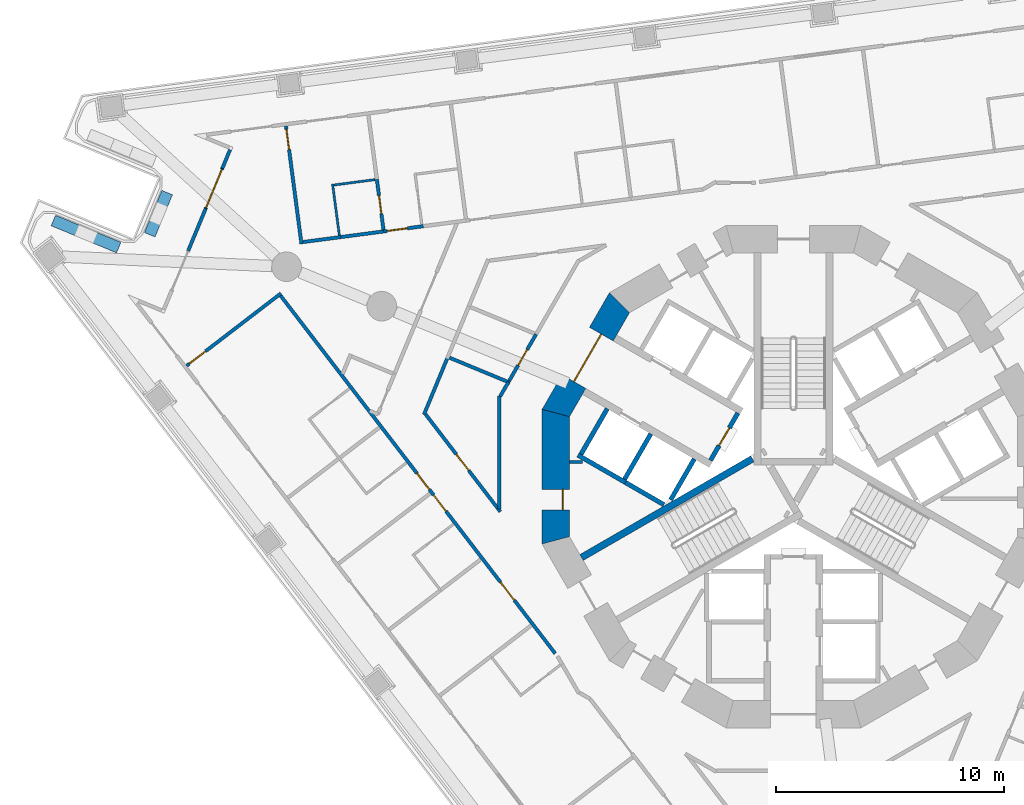
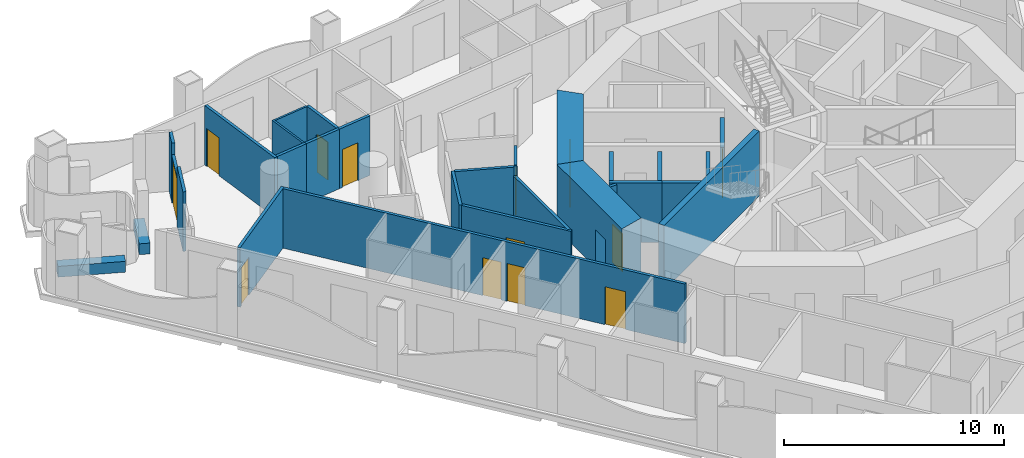
# One storey, part 6 of 19: 30 walls, 13 doors, 13 openings.
"""IFC4 building model written with IfcOpenShell, lengths in metres."""

from ifc_helpers import new_model, si_unit, direction, frame, frame_2d, origin, place, context, subcontext, project, spatial, polyline, rectangle, outline, extrude, material, layer, layer_set, type_object, element, fill, save


model = new_model("IFC4")

# Units and contexts
model_context = context("Model", 3, precision=1e-05, world=origin(), true_north=direction((0.0, 1.0)))
body_context = subcontext(model_context, "Body", "Model", "MODEL_VIEW")
ifc_project = project(units=[si_unit("LENGTHUNIT", "METRE"), si_unit("AREAUNIT", "SQUARE_METRE"), si_unit("VOLUMEUNIT", "CUBIC_METRE"), si_unit("PLANEANGLEUNIT", "RADIAN"), si_unit("MASSUNIT", "GRAM", prefix="KILO")], contexts=[model_context])

# Site, building, storey
site_placement = place(None, origin())
site = spatial("IfcSite", under=ifc_project, at=site_placement, CompositionType="ELEMENT")
building_placement = place(site_placement, origin())
building = spatial("IfcBuilding", under=site, at=building_placement, Name="Trine Commons Tower", CompositionType="ELEMENT")
storey_placement = place(building_placement, frame((0.0, 0.0, 68.39990234375)))
storey = spatial("IfcBuildingStorey", under=building, at=storey_placement, Name="L16", CompositionType="ELEMENT", Elevation=68.39990234375)

# Walls
ifc_material_1 = material(Name="Plasterboard partition on steel studs", Category="steel")
ifc_layer_1 = layer(ifc_material_1, 0.14990234375)
ifc_layer_set_1 = layer_set([ifc_layer_1], Name="Plasterboard partition on steel studs")
wall_type_1 = type_object("IfcWallType", Name="Core room partition 150 mm, EI 60", PredefinedType="PARTITIONING", material=ifc_layer_set_1)
wall_1_placement = place(storey_placement, frame((70.18798828125, 63.14208984375, 0.0), z_axis=(0.0, 0.0, 1.0), x_axis=(1.0, 0.0, 0.0)))
element("IfcWall", 1, at=wall_1_placement, inside=storey, type_object=wall_type_1, Name="Core room partition L16", PredefinedType="PARTITIONING", context=body_context, shape_type="SweptSolid", body=[
    extrude(rectangle(XDim=0.571044921875, YDim=0.14990234375, at=frame_2d((0.28564453125, 0.0))), origin(), (0.0, 0.0, 1.0), 3.300048828125),
])
ifc_material_2 = material(Name="Aluminium-framed insulated wall panel", Category="aluminium")
ifc_layer_2 = layer(ifc_material_2, 0.14990234375)
ifc_layer_set_2 = layer_set([ifc_layer_2], Name="Aluminium-framed insulated wall panel")
wall_type_2 = type_object("IfcWallType", Name="Glazed frame wall 150, EI 60", PredefinedType="SOLIDWALL", material=ifc_layer_set_2)
wall_2_placement = place(storey_placement, frame((53.482177734375, 72.401611328125, 0.0), z_axis=(0.0, 0.0, 1.0), x_axis=(0.382664423091, 0.923887406181, 0.0)))
element("IfcWall", 2, at=wall_2_placement, inside=storey, type_object=wall_type_2, Name="Glazed frame wall P1.3", PredefinedType="SOLIDWALL", context=body_context, shape_type="SweptSolid", body=[
    extrude(outline(polyline([(0.0, -0.074951171875), (2.0, -0.074951171875), (2.0, 0.074951171875), (0.0, 0.074951171875), (0.0, -0.074951171875)])), origin(), (0.0, 0.0, 1.0), 3.300048828125),
])

# Wall, opening, door
wall_3_placement = place(storey_placement, frame((54.24755859375, 74.24951171875, 0.0), z_axis=(0.0, 0.0, 1.0), x_axis=(0.382661988648, 0.923888414498, 0.0)))
wall_3 = element("IfcWall", 3, at=wall_3_placement, inside=storey, type_object=wall_type_2, Name="Glazed frame wall P1.4", PredefinedType="SOLIDWALL", context=body_context, shape_type="SweptSolid", body=[
    extrude(outline(polyline([(0.0, -0.074951171875), (1.89990234375, -0.074951171875), (1.89990234375, 0.074951171875), (0.0, 0.074951171875), (0.0, -0.074951171875)])), origin(), (0.0, 0.0, 1.0), 2.650146484375),
])
opening_1_placement = place(wall_3_placement, frame((0.050048828125, 0.0, 0.0)))
opening_1 = element("IfcOpeningElement", 4, at=opening_1_placement, cuts=wall_3, Name="Opening BD-2P1-02", PredefinedType="OPENING", context=body_context, shape_type="SweptSolid", body=[
    extrude(rectangle(XDim=1.800048828125, YDim=2.60009765625, at=frame_2d((0.89990234375, 1.300048828125))), frame((0.0, 0.0849609375, 0.0), z_axis=(0.0, -1.0, 0.0), x_axis=(1.0, 0.0, 0.0)), (0.0, 0.0, 1.0), 0.169921875),
])
ifc_material_3 = material(Name="Anodised aluminium frame with double glazing", Category="aluminium")
door_type_1 = type_object("IfcDoorType", Name="Sliding loggia door 1800x2600", OperationType="SLIDING_TO_LEFT", PredefinedType="DOOR", material=ifc_material_3)
door_1_placement = place(opening_1_placement, origin())
door_1 = element("IfcDoor", 5, at=door_1_placement, inside=storey, type_object=door_type_1, Name="Loggia door P1 2", OperationType="SLIDING_TO_LEFT", OverallHeight=2.60009765625, OverallWidth=1.800048828125, PredefinedType="DOOR", context=body_context, shape_type="SweptSolid", body=[
    extrude(rectangle(XDim=1.800048828125, YDim=2.60009765625, at=frame_2d((0.89990234375, 1.300048828125))), frame((0.0, 0.02490234375, 0.0), z_axis=(0.0, -1.0, 0.0), x_axis=(1.0, 0.0, 0.0)), (0.0, 0.0, 1.0), 0.050048828125),
])
fill(opening_1, door_1)

# Wall
wall_4_placement = place(storey_placement, frame((54.974609375, 76.0048828125, 0.0), z_axis=(0.0, 0.0, 1.0), x_axis=(0.382811769845, 0.923826362943, 0.0)))
element("IfcWall", 6, at=wall_4_placement, inside=storey, type_object=wall_type_2, Name="Glazed frame wall P1.5", PredefinedType="SOLIDWALL", context=body_context, shape_type="SweptSolid", body=[
    extrude(outline(polyline([(0.889892578125, 0.074951171875), (0.0, 0.074951171875), (0.0, -0.074951171875), (0.889892578125, -0.074951171875), (0.889892578125, 0.074951171875)])), origin(), (0.0, 0.0, 1.0), 3.300048828125),
])

# Wall, opening, door
ifc_material_4 = material(Name="Fire-rated gypsum shaft wall system")
ifc_layer_3 = layer(ifc_material_4, 0.199951171875)
ifc_layer_set_3 = layer_set([ifc_layer_3], Name="Fire-rated gypsum shaft wall system")
wall_type_3 = type_object("IfcWallType", Name="Lobby end wall 200 mm, EI 120", PredefinedType="PARTITIONING", material=ifc_layer_set_3)
wall_5_placement = place(storey_placement, frame((77.569091796875, 65.2890625, 0.0), z_axis=(0.0, 0.0, 1.0), x_axis=(-0.50012165622, -0.865955154139, 0.0)))
wall_5 = element("IfcWall", 7, at=wall_5_placement, inside=storey, type_object=wall_type_3, Name="Lobby end wall L16", PredefinedType="PARTITIONING", context=body_context, shape_type="SweptSolid", body=[
    extrude(rectangle(XDim=2.39990234375, YDim=0.199951171875, at=frame_2d((1.199951171875, 0.0))), origin(), (0.0, 0.0, 1.0), 3.300048828125),
])
opening_2_placement = place(wall_5_placement, frame((0.749755859375, 0.0, 0.0)))
opening_2 = element("IfcOpeningElement", 8, at=opening_2_placement, cuts=wall_5, Name="Opening K07.07", PredefinedType="OPENING", context=body_context, shape_type="SweptSolid", body=[
    extrude(rectangle(XDim=0.89990234375, YDim=2.10009765625, at=frame_2d((0.449951171875, 1.050048828125))), frame((0.0, 0.10986328125, 0.0), z_axis=(0.0, -1.0, 0.0), x_axis=(1.0, 0.0, 0.0)), (0.0, 0.0, 1.0), 0.219970703125),
])
ifc_material_5 = material(Name="Steel door leaf, fire-rated", Category="steel")
door_type_2 = type_object("IfcDoorType", Name="Riser access door, single leaf 900 x 2100, FD60", OperationType="SINGLE_SWING_LEFT", PredefinedType="DOOR", material=ifc_material_5)
door_2_placement = place(opening_2_placement, frame((0.89990234375, 0.0, 0.0), z_axis=(0.0, 0.0, 1.0), x_axis=(-1.0, 0.0, 0.0)))
door_2 = element("IfcDoor", 9, at=door_2_placement, inside=storey, type_object=door_type_2, Name="Riser door, Mechanical riser L16", OperationType="SINGLE_SWING_RIGHT", OverallHeight=2.10009765625, OverallWidth=0.89990234375, PredefinedType="DOOR", context=body_context, shape_type="SweptSolid", body=[
    extrude(rectangle(XDim=0.89990234375, YDim=2.10009765625, at=frame_2d((0.449951171875, 1.050048828125))), frame((0.0, 0.02490234375, 0.0), z_axis=(0.0, -1.0, 0.0), x_axis=(1.0, 0.0, 0.0)), (0.0, 0.0, 1.0), 0.050048828125),
])
fill(opening_2, door_2)

# Walls
ifc_material_6 = material(Name="Planter trough, precast concrete C40/50", Category="concrete")
ifc_layer_4 = layer(ifc_material_6, 0.5)
ifc_layer_set_4 = layer_set([ifc_layer_4], Name="Planter trough, precast concrete C40/50")
wall_type_4 = type_object("IfcWallType", Name="Planter trough 500x600", PredefinedType="PARAPET", material=ifc_layer_set_4)
wall_6_placement = place(storey_placement, frame((47.5732421875, 73.723388671875, 0.0), z_axis=(0.0, 0.0, 1.0), x_axis=(0.923883411188, -0.382674068277, 0.0)))
element("IfcWall", 10, at=wall_6_placement, inside=storey, type_object=wall_type_4, Name="Planter 1", PredefinedType="PARAPET", context=body_context, shape_type="SweptSolid", body=[
    extrude(rectangle(XDim=3.099853515625, YDim=0.5, at=frame_2d((1.5498046875, 0.0))), origin(), (0.0, 0.0, 1.0), 0.60009765625),
])
wall_7_placement = place(storey_placement, frame((51.796142578125, 73.10009765625, 0.0), z_axis=(0.0, 0.0, 1.0), x_axis=(0.382603377961, 0.923912688068, 0.0)))
element("IfcWall", 11, at=wall_7_placement, inside=storey, type_object=wall_type_4, Name="Planter 2", PredefinedType="PARAPET", context=body_context, shape_type="SweptSolid", body=[
    extrude(rectangle(XDim=1.999755859375, YDim=0.5, at=frame_2d((1.0, 0.0))), origin(), (0.0, 0.0, 1.0), 0.60009765625),
])

# Wall, opening, door
ifc_material_7 = material(Name="Concrete C80/95", Category="concrete")
ifc_layer_5 = layer(ifc_material_7, 1.199951171875)
ifc_layer_set_5 = layer_set([ifc_layer_5], Name="Concrete C80/95")
wall_type_5 = type_object("IfcWallType", Name="RC shear wall 1200 mm, C80/95", PredefinedType="SHEAR", material=ifc_layer_set_5)
wall_8_placement = place(storey_placement, frame((72.45849609375, 70.260986328125, 0.0), z_axis=(0.0, 0.0, 1.0), x_axis=(-0.499979111662, -0.866037463336, 0.0)))
wall_8 = element("IfcWall", 12, at=wall_8_placement, inside=storey, type_object=wall_type_5, Name="Core wall CWB-06 L16", PredefinedType="SHEAR", context=body_context, shape_type="SweptSolid", body=[
    extrude(outline(polyline([(0.0, -0.60009765625), (5.901123046875, -0.60009765625), (5.57958984375, 0.60009765625), (0.321533203125, 0.60009765625), (0.0, -0.60009765625)])), origin(), (0.0, 0.0, 1.0), 3.60009765625),
])
opening_3_placement = place(wall_8_placement, frame((1.75048828125, 0.0, 0.0)))
opening_3 = element("IfcOpeningElement", 13, at=opening_3_placement, cuts=wall_8, Name="Opening K07.06", PredefinedType="OPENING", context=body_context, shape_type="SweptSolid", body=[
    extrude(rectangle(XDim=2.39990234375, YDim=2.10009765625, at=frame_2d((1.199951171875, 1.050048828125))), frame((0.0, 0.60986328125, 0.0), z_axis=(0.0, -1.0, 0.0), x_axis=(1.0, 0.0, 0.0)), (0.0, 0.0, 1.0), 1.219970703125),
])
ifc_material_8 = material(Name="Steel door leaves, fire-rated", Category="steel")
door_type_3 = type_object("IfcDoorType", Name="Lobby door, double leaf 2400 x 2100, FD60", OperationType="DOUBLE_DOOR_SINGLE_SWING", PredefinedType="DOOR", material=ifc_material_8)
door_3_placement = place(opening_3_placement, origin())
door_3 = element("IfcDoor", 14, at=door_3_placement, inside=storey, type_object=door_type_3, Name="Lobby door, Passenger lift lobby B L16", OperationType="DOUBLE_DOOR_SINGLE_SWING", OverallHeight=2.10009765625, OverallWidth=2.39990234375, PredefinedType="DOOR", context=body_context, shape_type="SweptSolid", body=[
    extrude(rectangle(XDim=2.39990234375, YDim=2.10009765625, at=frame_2d((1.199951171875, 1.050048828125))), frame((0.0, 0.02490234375, 0.0), z_axis=(0.0, -1.0, 0.0), x_axis=(1.0, 0.0, 0.0)), (0.0, 0.0, 1.0), 0.050048828125),
])
fill(opening_3, door_3)

wall_9_placement = place(storey_placement, frame((69.58837890625, 65.450439453125, 0.0), z_axis=(0.0, 0.0, 1.0), x_axis=(0.0, -1.0, 0.0)))
wall_9 = element("IfcWall", 15, at=wall_9_placement, inside=storey, type_object=wall_type_5, Name="Core wall CWB-07 L16", PredefinedType="SHEAR", context=body_context, shape_type="SweptSolid", body=[
    extrude(outline(polyline([(0.0, -0.60009765625), (5.90087890625, -0.60009765625), (5.57958984375, 0.60009765625), (0.321533203125, 0.60009765625), (0.0, -0.60009765625)])), origin(), (0.0, 0.0, 1.0), 3.60009765625),
])
opening_4_placement = place(wall_9_placement, frame((3.508544921875, 0.0, 0.0)))
opening_4 = element("IfcOpeningElement", 16, at=opening_4_placement, cuts=wall_9, Name="Opening K07.14", PredefinedType="OPENING", context=body_context, shape_type="SweptSolid", body=[
    extrude(rectangle(XDim=0.89990234375, YDim=2.10009765625, at=frame_2d((0.449951171875, 1.050048828125))), frame((0.0, 0.60986328125, 0.0), z_axis=(0.0, -1.0, 0.0), x_axis=(1.0, 0.0, 0.0)), (0.0, 0.0, 1.0), 1.219970703125),
])
door_type_4 = type_object("IfcDoorType", Name="Core room door, single leaf 900 x 2100, FD30S", OperationType="SINGLE_SWING_LEFT", PredefinedType="DOOR", material=ifc_material_5)
door_4_placement = place(opening_4_placement, origin())
door_4 = element("IfcDoor", 17, at=door_4_placement, inside=storey, type_object=door_type_4, Name="Door to Print room L16", OperationType="SINGLE_SWING_RIGHT", OverallHeight=2.10009765625, OverallWidth=0.89990234375, PredefinedType="DOOR", context=body_context, shape_type="SweptSolid", body=[
    extrude(rectangle(XDim=0.89990234375, YDim=2.10009765625, at=frame_2d((0.449951171875, 1.050048828125))), frame((0.0, 0.3251953125, 0.0), z_axis=(0.0, -1.0, 0.0), x_axis=(1.0, 0.0, 0.0)), (0.0, 0.0, 1.0), 0.050048828125),
])
fill(opening_4, door_4)

# Walls
ifc_layer_6 = layer(ifc_material_7, 0.300048828125)
ifc_layer_set_6 = layer_set([ifc_layer_6], Name="Concrete C80/95")
wall_type_6 = type_object("IfcWallType", Name="RC shear wall 300 mm, C80/95", PredefinedType="SHEAR", material=ifc_layer_set_6)
wall_10_placement = place(storey_placement, frame((78.199951171875, 63.280029296875, 0.0), z_axis=(0.0, 0.0, 1.0), x_axis=(-0.865965399159, -0.500103916661, 0.0)))
element("IfcWall", 18, at=wall_10_placement, inside=storey, type_object=wall_type_6, Name="Core cross wall SWA-07 L16", PredefinedType="SHEAR", context=body_context, shape_type="SweptSolid", body=[
    extrude(rectangle(XDim=8.642333984375, YDim=0.300048828125, at=frame_2d((4.3212890625, 0.0))), origin(), (0.0, 0.0, 1.0), 3.60009765625),
])
ifc_layer_7 = layer(ifc_material_4, 0.199951171875)
ifc_layer_set_7 = layer_set([ifc_layer_7], Name="Fire-rated gypsum shaft wall system")
wall_type_7 = type_object("IfcWallType", Name="Shaft wall 200 mm, EI 120", PredefinedType="PARTITIONING", material=ifc_layer_set_7)
wall_11_placement = place(storey_placement, frame((71.844970703125, 65.47607421875, 0.0), z_axis=(0.0, 0.0, 1.0), x_axis=(-0.500136062276, -0.86594683394, 0.0)))
element("IfcWall", 19, at=wall_11_placement, inside=storey, type_object=wall_type_7, Name="Shaft wall L16", PredefinedType="PARTITIONING", context=body_context, shape_type="SweptSolid", body=[
    extrude(rectangle(XDim=2.299072265625, YDim=0.199951171875, at=frame_2d((1.1494140625, 0.0))), origin(), (0.0, 0.0, 1.0), 3.300048828125),
])
wall_12_placement = place(storey_placement, frame((72.637939453125, 62.248046875, 0.0), z_axis=(0.0, 0.0, 1.0), x_axis=(-0.866177122335, 0.499737123639, 0.0)))
element("IfcWall", 20, at=wall_12_placement, inside=storey, type_object=wall_type_7, Name="Shaft wall L16", PredefinedType="PARTITIONING", context=body_context, shape_type="SweptSolid", body=[
    extrude(rectangle(XDim=2.401123046875, YDim=0.199951171875, at=frame_2d((1.20068359375, 0.0))), origin(), (0.0, 0.0, 1.0), 3.300048828125),
])
wall_13_placement = place(storey_placement, frame((73.7509765625, 64.3759765625, 0.0), z_axis=(0.0, 0.0, 1.0), x_axis=(-0.500136062276, -0.86594683394, 0.0)))
element("IfcWall", 21, at=wall_13_placement, inside=storey, type_object=wall_type_7, Name="Shaft wall L16", PredefinedType="PARTITIONING", context=body_context, shape_type="SweptSolid", body=[
    extrude(rectangle(XDim=2.299072265625, YDim=0.199951171875, at=frame_2d((1.1494140625, 0.0))), origin(), (0.0, 0.0, 1.0), 3.300048828125),
])
wall_14_placement = place(storey_placement, frame((74.324951171875, 61.27294921875, 0.0), z_axis=(0.0, 0.0, 1.0), x_axis=(-0.865780634835, 0.500423712812, 0.0)))
element("IfcWall", 22, at=wall_14_placement, inside=storey, type_object=wall_type_7, Name="Shaft wall L16", PredefinedType="PARTITIONING", context=body_context, shape_type="SweptSolid", body=[
    extrude(rectangle(XDim=1.948486328125, YDim=0.199951171875, at=frame_2d((0.97412109375, 0.0))), origin(), (0.0, 0.0, 1.0), 3.300048828125),
])
wall_15_placement = place(storey_placement, frame((75.656005859375, 63.27587890625, 0.0), z_axis=(0.0, 0.0, 1.0), x_axis=(-0.500271688072, -0.86586848777, 0.0)))
element("IfcWall", 23, at=wall_15_placement, inside=storey, type_object=wall_type_7, Name="Shaft wall L16", PredefinedType="PARTITIONING", context=body_context, shape_type="SweptSolid", body=[
    extrude(rectangle(XDim=2.064697265625, YDim=0.199951171875, at=frame_2d((1.0322265625, 0.0))), origin(), (0.0, 0.0, 1.0), 3.300048828125),
])

# Wall, opening, door
ifc_material_9 = material(Name="Gypsum plasterboard on steel stud", Category="steel")
ifc_layer_8 = layer(ifc_material_9, 0.14990234375)
ifc_layer_set_8 = layer_set([ifc_layer_8], Name="Gypsum plasterboard on steel stud")
wall_type_8 = type_object("IfcWallType", Name="Unit and corridor wall 150 mm, EI 60", PredefinedType="PARTITIONING", material=ifc_layer_set_8)
wall_16_placement = place(storey_placement, frame((53.41162109375, 67.3583984375, 0.0), z_axis=(0.0, 0.0, 1.0), x_axis=(0.793382437727, 0.608723506616, 0.0)))
wall_16 = element("IfcWall", 24, at=wall_16_placement, inside=storey, type_object=wall_type_8, Name="Partition 001", PredefinedType="PARTITIONING", context=body_context, shape_type="SweptSolid", body=[
    extrude(rectangle(XDim=5.213134765625, YDim=0.14990234375, at=frame_2d((2.6064453125, 0.0))), origin(), (0.0, 0.0, 1.0), 3.300048828125),
])
opening_5_placement = place(wall_16_placement, frame((0.14990234375, 0.0, 0.0)))
opening_5 = element("IfcOpeningElement", 25, at=opening_5_placement, cuts=wall_16, Name="Opening D-2B30", PredefinedType="OPENING", context=body_context, shape_type="SweptSolid", body=[
    extrude(rectangle(XDim=0.89990234375, YDim=2.10009765625, at=frame_2d((0.449951171875, 1.050048828125))), frame((0.0, 0.0849609375, 0.0), z_axis=(0.0, -1.0, 0.0), x_axis=(1.0, 0.0, 0.0)), (0.0, 0.0, 1.0), 0.169921875),
])
ifc_material_10 = material(Name="Timber fire door set", Category="wood")
door_type_5 = type_object("IfcDoorType", Name="Bedroom door 900 x 2100, FD30S", OperationType="NOTDEFINED", PredefinedType="DOOR", material=ifc_material_10)
door_5_placement = place(opening_5_placement, frame((0.89990234375, 0.0, 0.0), z_axis=(0.0, 0.0, 1.0), x_axis=(-1.0, 0.0, 0.0)))
door_5 = element("IfcDoor", 26, at=door_5_placement, inside=storey, type_object=door_type_5, Name="Door D-2B30", OperationType="SINGLE_SWING_RIGHT", OverallHeight=2.10009765625, OverallWidth=0.89990234375, PredefinedType="DOOR", context=body_context, shape_type="SweptSolid", body=[
    extrude(rectangle(XDim=0.89990234375, YDim=2.10009765625, at=frame_2d((0.449951171875, 1.050048828125))), frame((0.0, 0.02490234375, 0.0), z_axis=(0.0, -1.0, 0.0), x_axis=(1.0, 0.0, 0.0)), (0.0, 0.0, 1.0), 0.050048828125),
])
fill(opening_5, door_5)

# Wall, openings, doors
wall_17_placement = place(storey_placement, frame((57.53369140625, 70.426513671875, 0.0), z_axis=(0.0, 0.0, 1.0), x_axis=(0.608794371867, -0.793328061261, 0.0)))
wall_17 = element("IfcWall", 27, at=wall_17_placement, inside=storey, type_object=wall_type_8, Name="Partition 002", PredefinedType="PARTITIONING", context=body_context, shape_type="SweptSolid", body=[
    extrude(rectangle(XDim=19.75927734375, YDim=0.14990234375, at=frame_2d((9.879638671875, 0.0))), origin(), (0.0, 0.0, 1.0), 3.300048828125),
])
opening_6_placement = place(wall_17_placement, frame((15.8212890625, 0.0, 0.0)))
opening_6 = element("IfcOpeningElement", 28, at=opening_6_placement, cuts=wall_17, Name="Opening D-2B27", PredefinedType="OPENING", context=body_context, shape_type="SweptSolid", body=[
    extrude(rectangle(XDim=1.0, YDim=2.10009765625, at=frame_2d((0.5, 1.050048828125))), frame((0.0, 0.0849609375, 0.0), z_axis=(0.0, -1.0, 0.0), x_axis=(1.0, 0.0, 0.0)), (0.0, 0.0, 1.0), 0.169921875),
])
opening_7_placement = place(wall_17_placement, frame((11.00634765625, 0.0, 0.0)))
opening_7 = element("IfcOpeningElement", 29, at=opening_7_placement, cuts=wall_17, Name="Opening D-2B28", PredefinedType="OPENING", context=body_context, shape_type="SweptSolid", body=[
    extrude(rectangle(XDim=0.89990234375, YDim=2.10009765625, at=frame_2d((0.449951171875, 1.050048828125))), frame((0.0, 0.0849609375, 0.0), z_axis=(0.0, -1.0, 0.0), x_axis=(1.0, 0.0, 0.0)), (0.0, 0.0, 1.0), 0.169921875),
])
opening_8_placement = place(wall_17_placement, frame((9.806396484375, 0.0, 0.0)))
opening_8 = element("IfcOpeningElement", 30, at=opening_8_placement, cuts=wall_17, Name="Opening D-2B29", PredefinedType="OPENING", context=body_context, shape_type="SweptSolid", body=[
    extrude(rectangle(XDim=0.89990234375, YDim=2.10009765625, at=frame_2d((0.449951171875, 1.050048828125))), frame((0.0, 0.0849609375, 0.0), z_axis=(0.0, -1.0, 0.0), x_axis=(1.0, 0.0, 0.0)), (0.0, 0.0, 1.0), 0.169921875),
])
ifc_material_11 = material(Name="Painted timber", Category="wood")
door_type_6 = type_object("IfcDoorType", Name="Amenity room door 1000 x 2100, NOT RATED", OperationType="NOTDEFINED", PredefinedType="DOOR", material=ifc_material_11)
door_6_placement = place(opening_6_placement, frame((1.0, 0.0, 0.0), z_axis=(0.0, 0.0, 1.0), x_axis=(-1.0, 0.0, 0.0)))
door_6 = element("IfcDoor", 31, at=door_6_placement, inside=storey, type_object=door_type_6, Name="Door D-2B27", OperationType="SINGLE_SWING_LEFT", OverallHeight=2.10009765625, OverallWidth=1.0, PredefinedType="DOOR", context=body_context, shape_type="SweptSolid", body=[
    extrude(rectangle(XDim=1.0, YDim=2.10009765625, at=frame_2d((0.5, 1.050048828125))), frame((0.0, 0.02490234375, 0.0), z_axis=(0.0, -1.0, 0.0), x_axis=(1.0, 0.0, 0.0)), (0.0, 0.0, 1.0), 0.050048828125),
])
fill(opening_6, door_6)
door_7_placement = place(opening_7_placement, frame((0.89990234375, 0.0, 0.0), z_axis=(0.0, 0.0, 1.0), x_axis=(-1.0, 0.0, 0.0)))
door_7 = element("IfcDoor", 32, at=door_7_placement, inside=storey, type_object=door_type_5, Name="Door D-2B28", OperationType="SINGLE_SWING_LEFT", OverallHeight=2.10009765625, OverallWidth=0.89990234375, PredefinedType="DOOR", context=body_context, shape_type="SweptSolid", body=[
    extrude(rectangle(XDim=0.89990234375, YDim=2.10009765625, at=frame_2d((0.449951171875, 1.050048828125))), frame((0.0, 0.02490234375, 0.0), z_axis=(0.0, -1.0, 0.0), x_axis=(1.0, 0.0, 0.0)), (0.0, 0.0, 1.0), 0.050048828125),
])
fill(opening_7, door_7)
door_8_placement = place(opening_8_placement, frame((0.89990234375, 0.0, 0.0), z_axis=(0.0, 0.0, 1.0), x_axis=(-1.0, 0.0, 0.0)))
door_8 = element("IfcDoor", 33, at=door_8_placement, inside=storey, type_object=door_type_5, Name="Door D-2B29", OperationType="SINGLE_SWING_LEFT", OverallHeight=2.10009765625, OverallWidth=0.89990234375, PredefinedType="DOOR", context=body_context, shape_type="SweptSolid", body=[
    extrude(rectangle(XDim=0.89990234375, YDim=2.10009765625, at=frame_2d((0.449951171875, 1.050048828125))), frame((0.0, 0.02490234375, 0.0), z_axis=(0.0, -1.0, 0.0), x_axis=(1.0, 0.0, 0.0)), (0.0, 0.0, 1.0), 0.050048828125),
])
fill(opening_8, door_8)

# Wall, opening, door
wall_18_placement = place(storey_placement, frame((57.76416015625, 77.8662109375, 0.0), z_axis=(0.0, 0.0, 1.0), x_axis=(0.130538083061, -0.991443295842, 0.0)))
wall_18 = element("IfcWall", 34, at=wall_18_placement, inside=storey, type_object=wall_type_8, Name="Partition 003", PredefinedType="PARTITIONING", context=body_context, shape_type="SweptSolid", body=[
    extrude(rectangle(XDim=5.21435546875, YDim=0.14990234375, at=frame_2d((2.607177734375, 0.0))), origin(), (0.0, 0.0, 1.0), 3.300048828125),
])
opening_9_placement = place(wall_18_placement, frame((0.14990234375, 0.0, 0.0)))
opening_9 = element("IfcOpeningElement", 35, at=opening_9_placement, cuts=wall_18, Name="Opening D-2B07", PredefinedType="OPENING", context=body_context, shape_type="SweptSolid", body=[
    extrude(rectangle(XDim=0.89990234375, YDim=2.10009765625, at=frame_2d((0.449951171875, 1.050048828125))), frame((0.0, 0.0849609375, 0.0), z_axis=(0.0, -1.0, 0.0), x_axis=(1.0, 0.0, 0.0)), (0.0, 0.0, 1.0), 0.169921875),
])
door_9_placement = place(opening_9_placement, origin())
door_9 = element("IfcDoor", 36, at=door_9_placement, inside=storey, type_object=door_type_5, Name="Door D-2B07", OperationType="SINGLE_SWING_LEFT", OverallHeight=2.10009765625, OverallWidth=0.89990234375, PredefinedType="DOOR", context=body_context, shape_type="SweptSolid", body=[
    extrude(rectangle(XDim=0.89990234375, YDim=2.10009765625, at=frame_2d((0.449951171875, 1.050048828125))), frame((0.0, 0.02490234375, 0.0), z_axis=(0.0, -1.0, 0.0), x_axis=(1.0, 0.0, 0.0)), (0.0, 0.0, 1.0), 0.050048828125),
])
fill(opening_9, door_9)

# Walls
wall_19_placement = place(storey_placement, frame((58.509521484375, 72.78076171875, 0.0), z_axis=(0.0, 0.0, 1.0), x_axis=(0.99149595725, 0.13013749174, 0.0)))
element("IfcWall", 37, at=wall_19_placement, inside=storey, type_object=wall_type_8, Name="Partition 005", PredefinedType="PARTITIONING", context=body_context, shape_type="SweptSolid", body=[
    extrude(rectangle(XDim=1.67333984375, YDim=0.14990234375, at=frame_2d((0.836669921875, 0.0))), origin(), (0.0, 0.0, 1.0), 3.300048828125),
])
wall_20_placement = place(storey_placement, frame((60.111083984375, 72.990966796875, 0.0), z_axis=(0.0, 0.0, 1.0), x_axis=(0.991437274098, 0.130583810365, 0.0)))
element("IfcWall", 38, at=wall_20_placement, inside=storey, type_object=wall_type_8, Name="Partition 012", PredefinedType="PARTITIONING", context=body_context, shape_type="SweptSolid", body=[
    extrude(rectangle(XDim=1.953857421875, YDim=0.14990234375, at=frame_2d((0.97705078125, 0.0))), origin(), (0.0, 0.0, 1.0), 3.300048828125),
])

# Wall, opening, door
wall_21_placement = place(storey_placement, frame((61.748046875, 75.527099609375, 0.0), z_axis=(0.0, 0.0, 1.0), x_axis=(0.130309803154, -0.991473325512, 0.0)))
wall_21 = element("IfcWall", 39, at=wall_21_placement, inside=storey, type_object=wall_type_8, Name="Partition 018", PredefinedType="PARTITIONING", context=body_context, shape_type="SweptSolid", body=[
    extrude(rectangle(XDim=2.225830078125, YDim=0.14990234375, at=frame_2d((1.11279296875, 0.0))), origin(), (0.0, 0.0, 1.0), 3.300048828125),
])
opening_10_placement = place(wall_21_placement, frame((0.712890625, 0.0, 0.0)))
opening_10 = element("IfcOpeningElement", 40, at=opening_10_placement, cuts=wall_21, Name="Opening D-2B38", PredefinedType="OPENING", context=body_context, shape_type="SweptSolid", body=[
    extrude(rectangle(XDim=0.800048828125, YDim=2.10009765625, at=frame_2d((0.39990234375, 1.050048828125))), frame((0.0, 0.0849609375, 0.0), z_axis=(0.0, -1.0, 0.0), x_axis=(1.0, 0.0, 0.0)), (0.0, 0.0, 1.0), 0.169921875),
])
door_type_7 = type_object("IfcDoorType", Name="Internal door 800 x 2100, NOT RATED", OperationType="NOTDEFINED", PredefinedType="DOOR", material=ifc_material_11)
door_10_placement = place(opening_10_placement, origin())
door_10 = element("IfcDoor", 41, at=door_10_placement, inside=storey, type_object=door_type_7, Name="Door D-2B38", OperationType="SINGLE_SWING_LEFT", OverallHeight=2.10009765625, OverallWidth=0.800048828125, PredefinedType="DOOR", context=body_context, shape_type="SweptSolid", body=[
    extrude(rectangle(XDim=0.800048828125, YDim=2.10009765625, at=frame_2d((0.39990234375, 1.050048828125))), frame((0.0, 0.02490234375, 0.0), z_axis=(0.0, -1.0, 0.0), x_axis=(1.0, 0.0, 0.0)), (0.0, 0.0, 1.0), 0.050048828125),
])
fill(opening_10, door_10)

wall_22_placement = place(storey_placement, frame((62.048095703125, 73.24609375, 0.0), z_axis=(0.0, 0.0, 1.0), x_axis=(0.991412396829, 0.130772548398, 0.0)))
wall_22 = element("IfcWall", 42, at=wall_22_placement, inside=storey, type_object=wall_type_8, Name="Partition 020", PredefinedType="PARTITIONING", context=body_context, shape_type="SweptSolid", body=[
    extrude(rectangle(XDim=1.747314453125, YDim=0.14990234375, at=frame_2d((0.87353515625, 0.0))), origin(), (0.0, 0.0, 1.0), 3.300048828125),
])
opening_11_placement = place(wall_22_placement, frame((0.14990234375, 0.0, 0.0)))
opening_11 = element("IfcOpeningElement", 43, at=opening_11_placement, cuts=wall_22, Name="Opening D-2B08", PredefinedType="OPENING", context=body_context, shape_type="SweptSolid", body=[
    extrude(rectangle(XDim=0.89990234375, YDim=2.10009765625, at=frame_2d((0.449951171875, 1.050048828125))), frame((0.0, 0.0849609375, 0.0), z_axis=(0.0, -1.0, 0.0), x_axis=(1.0, 0.0, 0.0)), (0.0, 0.0, 1.0), 0.169921875),
])
door_11_placement = place(opening_11_placement, origin())
door_11 = element("IfcDoor", 44, at=door_11_placement, inside=storey, type_object=door_type_5, Name="Door D-2B08", OperationType="SINGLE_SWING_LEFT", OverallHeight=2.10009765625, OverallWidth=0.89990234375, PredefinedType="DOOR", context=body_context, shape_type="SweptSolid", body=[
    extrude(rectangle(XDim=0.89990234375, YDim=2.10009765625, at=frame_2d((0.449951171875, 1.050048828125))), frame((0.0, 0.02490234375, 0.0), z_axis=(0.0, -1.0, 0.0), x_axis=(1.0, 0.0, 0.0)), (0.0, 0.0, 1.0), 0.050048828125),
])
fill(opening_11, door_11)

# Wall
wall_23_placement = place(storey_placement, frame((63.811279296875, 65.2197265625, 0.0), z_axis=(0.0, 0.0, 1.0), x_axis=(0.382485754441, 0.923961388614, 0.0)))
element("IfcWall", 45, at=wall_23_placement, inside=storey, type_object=wall_type_8, Name="Partition 028", PredefinedType="PARTITIONING", context=body_context, shape_type="SweptSolid", body=[
    extrude(rectangle(XDim=2.736328125, YDim=0.14990234375, at=frame_2d((1.3681640625, 0.0))), origin(), (0.0, 0.0, 1.0), 3.300048828125),
])

# Wall, opening, door
wall_24_placement = place(storey_placement, frame((63.8857421875, 65.2294921875, 0.0), z_axis=(0.0, 0.0, 1.0), x_axis=(0.608696503356, -0.793403155276, 0.0)))
wall_24 = element("IfcWall", 46, at=wall_24_placement, inside=storey, type_object=wall_type_8, Name="Partition 029", PredefinedType="PARTITIONING", context=body_context, shape_type="SweptSolid", body=[
    extrude(rectangle(XDim=5.376953125, YDim=0.14990234375, at=frame_2d((2.6884765625, 0.0))), origin(), (0.0, 0.0, 1.0), 3.300048828125),
])
opening_12_placement = place(wall_24_placement, frame((2.200927734375, 0.0, 0.0)))
opening_12 = element("IfcOpeningElement", 47, at=opening_12_placement, cuts=wall_24, Name="Opening D-2B32", PredefinedType="OPENING", context=body_context, shape_type="SweptSolid", body=[
    extrude(rectangle(XDim=0.89990234375, YDim=2.10009765625, at=frame_2d((0.449951171875, 1.050048828125))), frame((0.0, 0.0849609375, 0.0), z_axis=(0.0, -1.0, 0.0), x_axis=(1.0, 0.0, 0.0)), (0.0, 0.0, 1.0), 0.169921875),
])
door_type_8 = type_object("IfcDoorType", Name="Service door 900 x 2100, FD30S", OperationType="NOTDEFINED", PredefinedType="DOOR", material=ifc_material_10)
door_12_placement = place(opening_12_placement, origin())
door_12 = element("IfcDoor", 48, at=door_12_placement, inside=storey, type_object=door_type_8, Name="Door D-2B32", OperationType="SINGLE_SWING_LEFT", OverallHeight=2.10009765625, OverallWidth=0.89990234375, PredefinedType="DOOR", context=body_context, shape_type="SweptSolid", body=[
    extrude(rectangle(XDim=0.89990234375, YDim=2.10009765625, at=frame_2d((0.449951171875, 1.050048828125))), frame((0.0, 0.02490234375, 0.0), z_axis=(0.0, -1.0, 0.0), x_axis=(1.0, 0.0, 0.0)), (0.0, 0.0, 1.0), 0.050048828125),
])
fill(opening_12, door_12)

# Walls
wall_25_placement = place(storey_placement, frame((64.92626953125, 67.71533203125, 0.0), z_axis=(0.0, 0.0, 1.0), x_axis=(0.923886418472, -0.382666807761, 0.0)))
element("IfcWall", 49, at=wall_25_placement, inside=storey, type_object=wall_type_8, Name="Partition 034", PredefinedType="PARTITIONING", context=body_context, shape_type="SweptSolid", body=[
    extrude(rectangle(XDim=2.874755859375, YDim=0.14990234375, at=frame_2d((1.4375, 0.0))), origin(), (0.0, 0.0, 1.0), 3.300048828125),
])
wall_26_placement = place(storey_placement, frame((67.113037109375, 61.093994140625, 0.0), z_axis=(0.0, 0.0, 1.0), x_axis=(0.0, 1.0, 0.0)))
element("IfcWall", 50, at=wall_26_placement, inside=storey, type_object=wall_type_8, Name="Partition 042", PredefinedType="PARTITIONING", context=body_context, shape_type="SweptSolid", body=[
    extrude(rectangle(XDim=4.93408203125, YDim=0.14990234375, at=frame_2d((2.467041015625, 0.0))), origin(), (0.0, 0.0, 1.0), 3.300048828125),
])
wall_27_placement = place(storey_placement, frame((67.150390625, 66.01806640625, 0.0), z_axis=(0.0, 0.0, 1.0), x_axis=(0.499858068882, 0.866107332248, 0.0)))
element("IfcWall", 51, at=wall_27_placement, inside=storey, type_object=wall_type_8, Name="Partition 043", PredefinedType="PARTITIONING", context=body_context, shape_type="SweptSolid", body=[
    extrude(rectangle(XDim=0.727294921875, YDim=0.14990234375, at=frame_2d((0.36376953125, 0.0))), origin(), (0.0, 0.0, 1.0), 3.300048828125),
])

# Wall, opening, door
wall_28_placement = place(storey_placement, frame((67.547607421875, 66.704833984375, 0.0), z_axis=(0.0, 0.0, 1.0), x_axis=(0.500075472253, 0.865981825474, 0.0)))
wall_28 = element("IfcWall", 52, at=wall_28_placement, inside=storey, type_object=wall_type_8, Name="Partition 044", PredefinedType="PARTITIONING", context=body_context, shape_type="SweptSolid", body=[
    extrude(rectangle(XDim=2.354736328125, YDim=0.14990234375, at=frame_2d((1.17724609375, 0.0))), origin(), (0.0, 0.0, 1.0), 2.75),
])
opening_13_placement = place(wall_28_placement, frame((0.775390625, 0.0, 0.0)))
opening_13 = element("IfcOpeningElement", 53, at=opening_13_placement, cuts=wall_28, Name="Opening D-2B36", PredefinedType="OPENING", context=body_context, shape_type="SweptSolid", body=[
    extrude(rectangle(XDim=0.800048828125, YDim=2.10009765625, at=frame_2d((0.39990234375, 1.050048828125))), frame((0.0, 0.0849609375, 0.0), z_axis=(0.0, -1.0, 0.0), x_axis=(1.0, 0.0, 0.0)), (0.0, 0.0, 1.0), 0.169921875),
])
door_type_9 = type_object("IfcDoorType", Name="Toilet door 800 x 2100, NOT RATED", OperationType="NOTDEFINED", PredefinedType="DOOR", material=ifc_material_11)
door_13_placement = place(opening_13_placement, origin())
door_13 = element("IfcDoor", 54, at=door_13_placement, inside=storey, type_object=door_type_9, Name="Door D-2B36", OperationType="SINGLE_SWING_LEFT", OverallHeight=2.10009765625, OverallWidth=0.800048828125, PredefinedType="DOOR", context=body_context, shape_type="SweptSolid", body=[
    extrude(rectangle(XDim=0.800048828125, YDim=2.10009765625, at=frame_2d((0.39990234375, 1.050048828125))), frame((0.0, 0.02490234375, 0.0), z_axis=(0.0, -1.0, 0.0), x_axis=(1.0, 0.0, 0.0)), (0.0, 0.0, 1.0), 0.050048828125),
])
fill(opening_13, door_13)

# Walls
ifc_layer_9 = layer(ifc_material_9, 0.10009765625)
ifc_layer_set_9 = layer_set([ifc_layer_9], Name="Gypsum plasterboard on steel stud")
wall_type_9 = type_object("IfcWallType", Name="Unit partition 100 mm, no rating", PredefinedType="PARTITIONING", material=ifc_layer_set_9)
wall_29_placement = place(storey_placement, frame((59.8076171875, 75.321533203125, 0.0), z_axis=(0.0, 0.0, 1.0), x_axis=(0.13083486939, -0.991404174367, 0.0)))
element("IfcWall", 55, at=wall_29_placement, inside=storey, type_object=wall_type_9, Name="Partition 008", PredefinedType="PARTITIONING", context=body_context, shape_type="SweptSolid", body=[
    extrude(rectangle(XDim=2.274658203125, YDim=0.10009765625, at=frame_2d((1.13720703125, 0.0))), origin(), (0.0, 0.0, 1.0), 3.300048828125),
])
wall_30_placement = place(storey_placement, frame((59.863525390625, 75.278564453125, 0.0), z_axis=(0.0, 0.0, 1.0), x_axis=(0.991428788066, 0.130648223083, 0.0)))
element("IfcWall", 56, at=wall_30_placement, inside=storey, type_object=wall_type_9, Name="Partition 009", PredefinedType="PARTITIONING", context=body_context, shape_type="SweptSolid", body=[
    extrude(rectangle(XDim=1.82568359375, YDim=0.10009765625, at=frame_2d((0.912841796875, 0.0))), origin(), (0.0, 0.0, 1.0), 3.300048828125),
])

save(model, "model.ifc")
